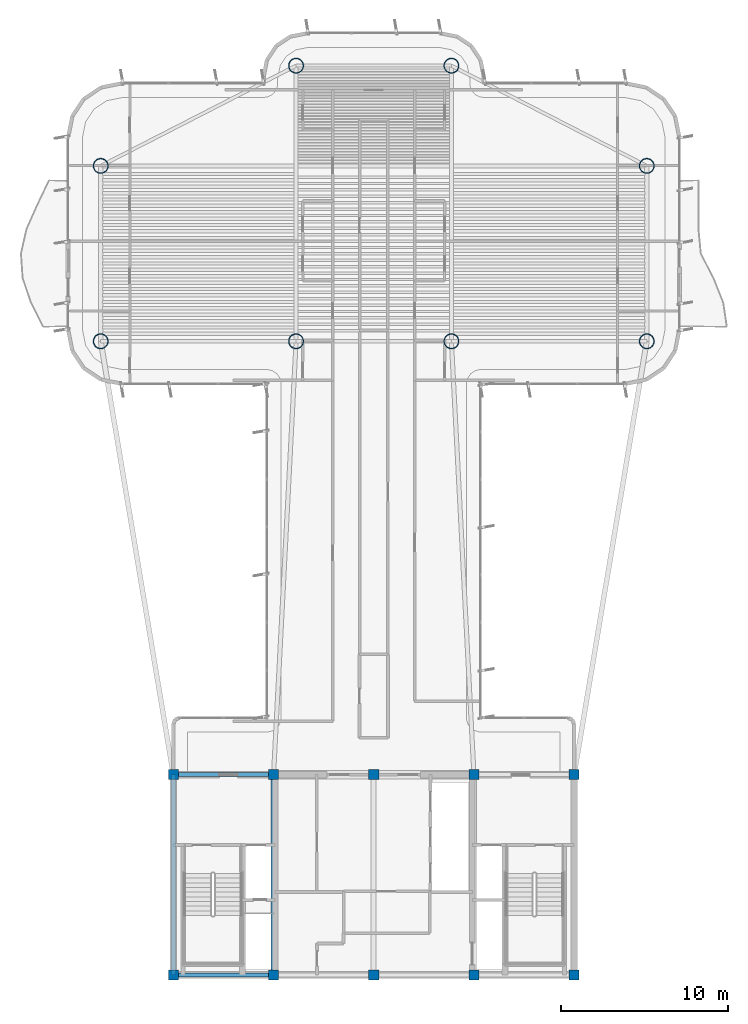
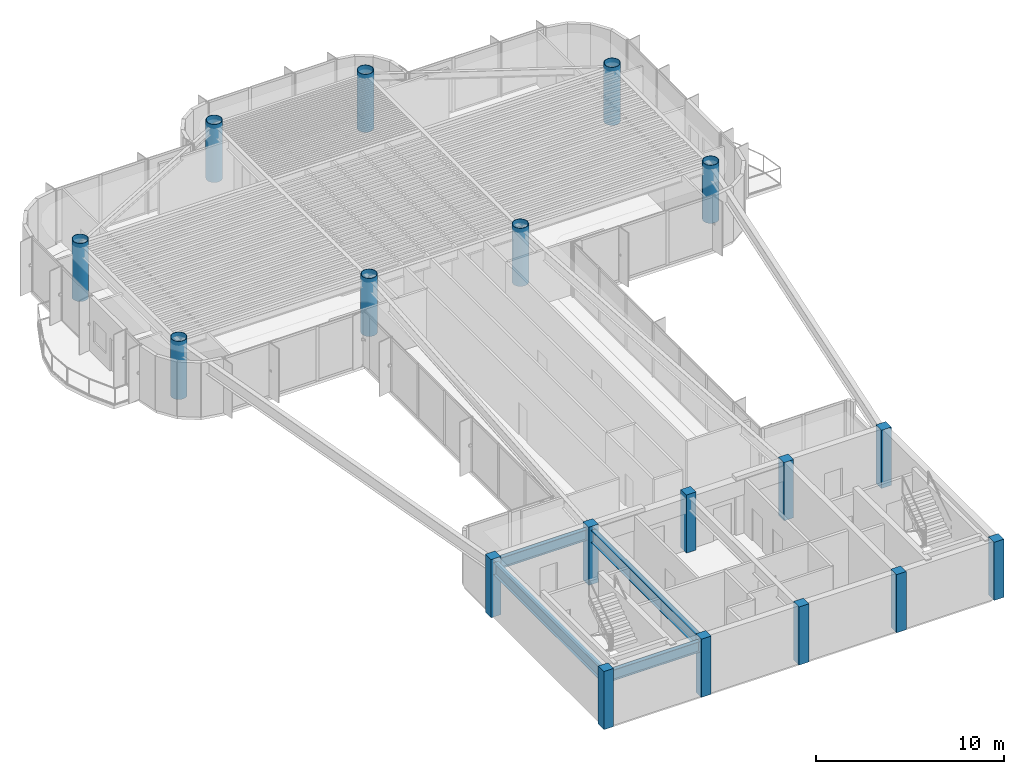
# One storey, part 1 of 16: 18 columns, 4 beams.
"""IFC4 building model written with IfcOpenShell, lengths in metres."""

from ifc_helpers import new_model, si_unit, direction, frame, origin, origin_2d, place, context, subcontext, project, spatial, rectangle, hollow_circle, i_section, extrude, source, transform, mapped, material, material_profile, profile_set, type_object, element, save


model = new_model("IFC4")

# Units and contexts
model_context = context("Model", 3, precision=1e-05, world=origin(), true_north=direction((0.0, 1.0)))
body_context = subcontext(model_context, "Body", "Model", "MODEL_VIEW")
ifc_project = project(units=[si_unit("LENGTHUNIT", "METRE"), si_unit("AREAUNIT", "SQUARE_METRE"), si_unit("VOLUMEUNIT", "CUBIC_METRE"), si_unit("PLANEANGLEUNIT", "RADIAN"), si_unit("MASSUNIT", "GRAM", prefix="KILO")], contexts=[model_context])

# Site, building, storey
site_placement = place(None, origin())
site = spatial("IfcSite", under=ifc_project, at=site_placement, CompositionType="ELEMENT")
building_placement = place(site_placement, origin())
building = spatial("IfcBuilding", under=site, at=building_placement, Name="Brelvock Crest Care Tower", CompositionType="ELEMENT")
storey_placement = place(building_placement, frame((0.0, 0.0, 230.580078125)))
storey = spatial("IfcBuildingStorey", under=building, at=storey_placement, Name="L58", CompositionType="ELEMENT", Elevation=230.580078125)

# Columns
ifc_material_1 = material(Name="Concrete S65 (65 MPa)", Category="concrete")
ifc_material_profile_1 = material_profile(ifc_material_1, rectangle(XDim=0.60009765625, YDim=0.60009765625, at=origin_2d()), Name="RC600x600")
ifc_profile_set_1 = profile_set([ifc_material_profile_1], Name="Concrete S65 (65 MPa)")
column_type_1 = type_object("IfcColumnType", Name="COL-RC4", PredefinedType="COLUMN", material=ifc_profile_set_1)
shared_shape_1 = source(origin(), body_context, "Body", "SweptSolid", [
    extrude(rectangle(XDim=0.60009765625, YDim=0.60009765625, at=origin_2d()), origin(), (0.0, 0.0, 1.0), 3.780029296875),
])
for number, where, z_axis, x_axis, name in (
    (1, (24.0, 6.0, 0.0), (0.0, 0.0, 1.0), (1.0, 0.0, 0.0), "L58 Core Column CC-01"),
    (2, (30.0, 6.0, 0.0), (0.0, 0.0, 1.0), (1.0, 0.0, 0.0), "L58 Core Column CC-02"),
    (3, (36.0, 6.0, 0.0), (0.0, 0.0, 1.0), (1.0, 0.0, 0.0), "L58 Core Column CC-03"),
    (4, (42.0, 6.0, 0.0), (0.0, 0.0, 1.0), (1.0, 0.0, 0.0), "L58 Core Column CC-04"),
    (5, (48.0, 6.0, 0.0), (0.0, 0.0, 1.0), (1.0, 0.0, 0.0), "L58 Core Column CC-05"),
    (6, (24.0, 18.0, 0.0), (0.0, 0.0, 1.0), (1.0, 0.0, 0.0), "L58 Core Column CC-06"),
    (7, (30.0, 18.0, 0.0), (0.0, 0.0, 1.0), (1.0, 0.0, 0.0), "L58 Core Column CC-07"),
    (8, (36.0, 18.0, 0.0), (0.0, 0.0, 1.0), (1.0, 0.0, 0.0), "L58 Core Column CC-08"),
    (9, (42.0, 18.0, 0.0), (0.0, 0.0, 1.0), (1.0, 0.0, 0.0), "L58 Core Column CC-09"),
    (10, (48.0, 18.0, 0.0), (0.0, 0.0, 1.0), (1.0, 0.0, 0.0), "L58 Core Column CC-10"),
):
    element("IfcColumn", number, at=place(storey_placement, frame(where, z_axis=z_axis, x_axis=x_axis)), inside=storey, type_object=column_type_1, Name=name, PredefinedType="COLUMN", context=body_context, shape_type="MappedRepresentation", body=[
        mapped(shared_shape_1, transform((0.0, 0.0, 0.0), x_axis=(1.0, 0.0, 0.0), y_axis=(0.0, 1.0, 0.0), z_axis=(0.0, 0.0, 1.0), scale=1.0)),
    ])
ifc_material_2 = material(Name="Steel Grade 350", Category="steel")
ifc_material_profile_2 = material_profile(ifc_material_2, hollow_circle(Radius=0.449951171875, WallThickness=0.031982421875, at=origin_2d()), Name="CFT900x32")
ifc_profile_set_2 = profile_set([ifc_material_profile_2], Name="Steel Grade 350")
column_type_2 = type_object("IfcColumnType", Name="COL-MC4", PredefinedType="COLUMN", material=ifc_profile_set_2)
shared_shape_2 = source(origin(), body_context, "Body", "SweptSolid", [
    extrude(hollow_circle(Radius=0.449951171875, WallThickness=0.031982421875, at=origin_2d()), origin(), (0.0, 0.0, 1.0), 3.780029296875),
])
for number, where, z_axis, x_axis, name in (
    (11, (19.64990234375, 43.949951171875, 0.0), (0.0, 0.0, 1.0), (1.0, 0.0, 0.0), "L58 Tower Column M1"),
    (12, (19.64990234375, 54.449951171875, 0.0), (0.0, 0.0, 1.0), (1.0, 0.0, 0.0), "L58 Tower Column M2"),
    (13, (52.35009765625, 43.949951171875, 0.0), (0.0, 0.0, 1.0), (1.0, 0.0, 0.0), "L58 Tower Column M3"),
    (14, (52.35009765625, 54.449951171875, 0.0), (0.0, 0.0, 1.0), (1.0, 0.0, 0.0), "L58 Tower Column M4"),
    (15, (31.35009765625, 43.949951171875, 0.0), (0.0, 0.0, 1.0), (1.0, 0.0, 0.0), "L58 Tower Column M5"),
    (16, (40.64990234375, 43.949951171875, 0.0), (0.0, 0.0, 1.0), (1.0, 0.0, 0.0), "L58 Tower Column M6"),
    (17, (31.35009765625, 60.449951171875, 0.0), (0.0, 0.0, 1.0), (1.0, 0.0, 0.0), "L58 Tower Column M7"),
    (18, (40.64990234375, 60.449951171875, 0.0), (0.0, 0.0, 1.0), (1.0, 0.0, 0.0), "L58 Tower Column M8"),
):
    element("IfcColumn", number, at=place(storey_placement, frame(where, z_axis=z_axis, x_axis=x_axis)), inside=storey, type_object=column_type_2, Name=name, PredefinedType="COLUMN", context=body_context, shape_type="MappedRepresentation", body=[
        mapped(shared_shape_2, transform((0.0, 0.0, 0.0), x_axis=(1.0, 0.0, 0.0), y_axis=(0.0, 1.0, 0.0), z_axis=(0.0, 0.0, 1.0), scale=1.0)),
    ])

# Beams
ifc_material_profile_3 = material_profile(ifc_material_2, i_section(OverallWidth=0.25, OverallDepth=0.699951171875, WebThickness=0.011962890625, FlangeThickness=0.02001953125, at=origin_2d()), Name="700WB150")
ifc_profile_set_3 = profile_set([ifc_material_profile_3], Name="Steel Grade 350")
beam_type_1 = type_object("IfcBeamType", Name="BM-G4", PredefinedType="BEAM", material=ifc_profile_set_3)
shared_shape_3 = source(origin(), body_context, "Body", "SweptSolid", [
    extrude(i_section(OverallWidth=0.25, OverallDepth=0.699951171875, WebThickness=0.011962890625, FlangeThickness=0.02001953125, at=origin_2d()), origin(), (0.0, 0.0, 1.0), 6.0),
])
for number, where, z_axis, x_axis, name in (
    (19, (24.0, 6.0, 3.179931640625), (1.0, 0.0, 0.0), (0.0, 1.0, 0.0), "BM-CORES-L58-1"),
    (20, (24.0, 18.0, 3.179931640625), (1.0, 0.0, 0.0), (0.0, 1.0, 0.0), "BM-COREN-L58-1"),
):
    element("IfcBeam", number, at=place(storey_placement, frame(where, z_axis=z_axis, x_axis=x_axis)), inside=storey, type_object=beam_type_1, Name=name, PredefinedType="BEAM", context=body_context, shape_type="MappedRepresentation", body=[
        mapped(shared_shape_3, transform((0.0, 0.0, 0.0), x_axis=(1.0, 0.0, 0.0), y_axis=(0.0, 1.0, 0.0), z_axis=(0.0, 0.0, 1.0), scale=1.0)),
    ])
ifc_material_profile_4 = material_profile(ifc_material_2, i_section(OverallWidth=0.300048828125, OverallDepth=0.800048828125, WebThickness=0.013916015625, FlangeThickness=0.02197265625, at=origin_2d()), Name="800WB192")
ifc_profile_set_4 = profile_set([ifc_material_profile_4], Name="Steel Grade 350")
beam_type_2 = type_object("IfcBeamType", Name="BM-G5", PredefinedType="BEAM", material=ifc_profile_set_4)
shared_shape_4 = source(origin(), body_context, "Body", "SweptSolid", [
    extrude(i_section(OverallWidth=0.300048828125, OverallDepth=0.800048828125, WebThickness=0.013916015625, FlangeThickness=0.02197265625, at=origin_2d()), origin(), (0.0, 0.0, 1.0), 12.0),
])
for number, where, z_axis, x_axis, name in (
    (21, (24.0, 6.0, 3.1298828125), (0.0, 1.0, 0.0), (-1.0, 0.0, 0.0), "BM-COREX-L58-1"),
    (22, (30.0, 6.0, 3.1298828125), (0.0, 1.0, 0.0), (-1.0, 0.0, 0.0), "BM-COREX-L58-2"),
):
    element("IfcBeam", number, at=place(storey_placement, frame(where, z_axis=z_axis, x_axis=x_axis)), inside=storey, type_object=beam_type_2, Name=name, PredefinedType="BEAM", context=body_context, shape_type="MappedRepresentation", body=[
        mapped(shared_shape_4, transform((0.0, 0.0, 0.0), x_axis=(1.0, 0.0, 0.0), y_axis=(0.0, 1.0, 0.0), z_axis=(0.0, 0.0, 1.0), scale=1.0)),
    ])

save(model, "model.ifc")
